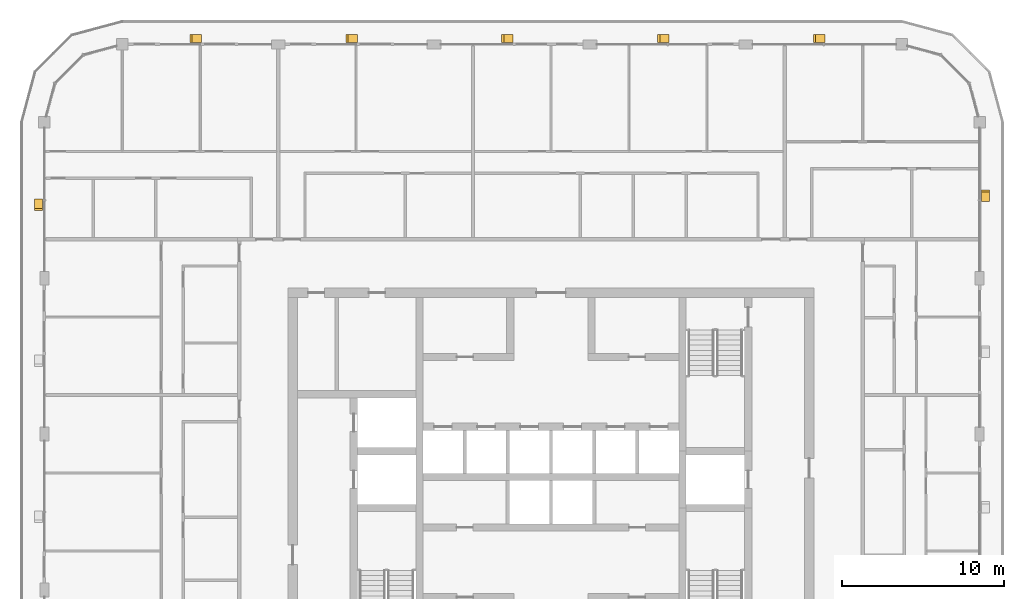
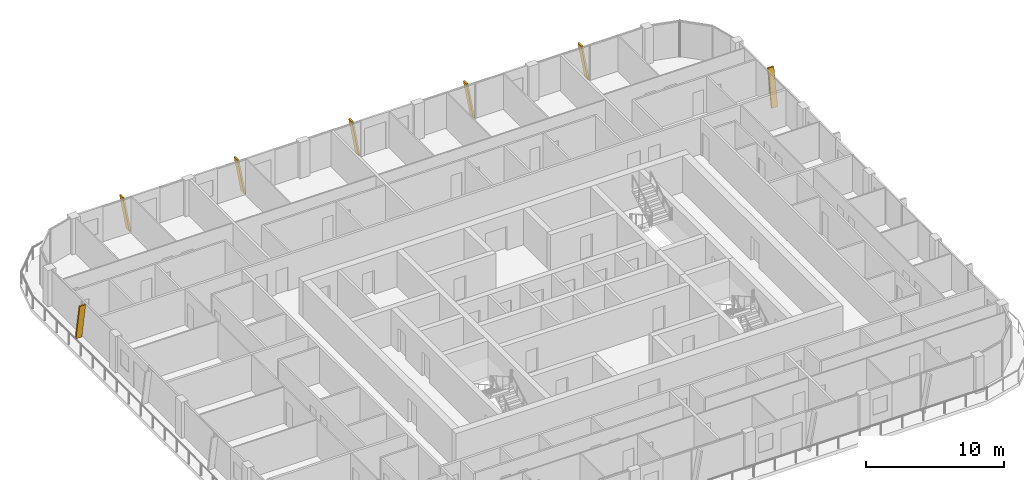
# One storey, part 21 of 21: 7 shading devices.
"""IFC4 building model written with IfcOpenShell, lengths in metres."""

from ifc_helpers import new_model, si_unit, direction, frame, origin, place, context, subcontext, project, spatial, polyline, outline, extrude, material, type_object, element, save


model = new_model("IFC4")

# Units and contexts
model_context = context("Model", 3, precision=1e-05, world=origin(), true_north=direction((0.0, 1.0)))
body_context = subcontext(model_context, "Body", "Model", "MODEL_VIEW")
ifc_project = project(units=[si_unit("LENGTHUNIT", "METRE"), si_unit("AREAUNIT", "SQUARE_METRE"), si_unit("VOLUMEUNIT", "CUBIC_METRE"), si_unit("PLANEANGLEUNIT", "RADIAN"), si_unit("MASSUNIT", "GRAM", prefix="KILO")], contexts=[model_context])

# Site, building, storey
site_placement = place(None, origin())
site = spatial("IfcSite", under=ifc_project, at=site_placement, CompositionType="ELEMENT")
building_placement = place(site_placement, origin())
building = spatial("IfcBuilding", under=site, at=building_placement, Name="Madar Terraces", CompositionType="ELEMENT")
storey_placement = place(building_placement, frame((0.0, 0.0, 242.199951171875)))
storey = spatial("IfcBuildingStorey", under=building, at=storey_placement, Name="L63", CompositionType="ELEMENT", Elevation=242.199951171875)

# Shading devices
ifc_material = material(Name="Aluminium, black anodised", Category="aluminium")
shading_device_type = type_object("IfcShadingDeviceType", Name="Facade fin blade 140 x 500", PredefinedType="USERDEFINED", material=ifc_material)
for number, where, z_axis, x_axis, name in (
    (1, (57.949951171875, 43.1298828125, 0.0), (0.0, 0.0, 1.0), (0.0, 1.0, 0.0), "FIN L63 E4"),
    (2, (48.070068359375, 53.14990234375, 0.0), (0.0, 0.0, 1.0), (-1.0, 0.0, 0.0), "FIN L63 N1"),
):
    element("IfcShadingDevice", number, at=place(storey_placement, frame(where, z_axis=z_axis, x_axis=x_axis)), inside=storey, type_object=shading_device_type, Name=name, ObjectType="FIN", PredefinedType="USERDEFINED", context=body_context, shape_type="SweptSolid", body=[
        extrude(outline(polyline([(0.0, 0.0), (0.14013671875, 0.0), (0.704345703125, 3.199951171875), (0.564208984375, 3.199951171875), (0.0, 0.0)])), frame((0.0, 0.25, 0.0), z_axis=(0.0, -1.0, 0.0), x_axis=(1.0, 0.0, 0.0)), (0.0, 0.0, 1.0), 0.5),
    ])
shading_device_1_placement = place(storey_placement, frame((38.469970703125, 53.14990234375, 0.0), z_axis=(0.0, 0.0, 1.0), x_axis=(-1.0, 0.0, 0.0)))
element("IfcShadingDevice", 3, at=shading_device_1_placement, inside=storey, type_object=shading_device_type, Name="FIN L63 N2", ObjectType="FIN", PredefinedType="USERDEFINED", context=body_context, shape_type="SweptSolid", body=[
    extrude(outline(polyline([(0.0, 0.0), (0.139892578125, 0.0), (0.704345703125, 3.199951171875), (0.564208984375, 3.199951171875), (0.0, 0.0)])), frame((0.0, 0.25, 0.0), z_axis=(0.0, -1.0, 0.0), x_axis=(1.0, 0.0, 0.0)), (0.0, 0.0, 1.0), 0.5),
])
for number, where, z_axis, x_axis, name in (
    (4, (28.8701171875, 53.14990234375, 0.0), (0.0, 0.0, 1.0), (-1.0, 0.0, 0.0), "FIN L63 N3"),
    (5, (19.27001953125, 53.14990234375, 0.0), (0.0, 0.0, 1.0), (-1.0, 0.0, 0.0), "FIN L63 N4"),
):
    element("IfcShadingDevice", number, at=place(storey_placement, frame(where, z_axis=z_axis, x_axis=x_axis)), inside=storey, type_object=shading_device_type, Name=name, ObjectType="FIN", PredefinedType="USERDEFINED", context=body_context, shape_type="SweptSolid", body=[
        extrude(outline(polyline([(0.0, 0.0), (0.14013671875, 0.0), (0.704345703125, 3.199951171875), (0.564208984375, 3.199951171875), (0.0, 0.0)])), frame((0.0, 0.25, 0.0), z_axis=(0.0, -1.0, 0.0), x_axis=(1.0, 0.0, 0.0)), (0.0, 0.0, 1.0), 0.5),
    ])
shading_device_2_placement = place(storey_placement, frame((9.669921875, 53.14990234375, 0.0), z_axis=(0.0, 0.0, 1.0), x_axis=(-1.0, 0.0, 0.0)))
element("IfcShadingDevice", 6, at=shading_device_2_placement, inside=storey, type_object=shading_device_type, Name="FIN L63 N5", ObjectType="FIN", PredefinedType="USERDEFINED", context=body_context, shape_type="SweptSolid", body=[
    extrude(outline(polyline([(0.0, 0.0), (0.139892578125, 0.0), (0.704345703125, 3.199951171875), (0.564208984375, 3.199951171875), (0.0, 0.0)])), frame((0.0, 0.25, 0.0), z_axis=(0.0, -1.0, 0.0), x_axis=(1.0, 0.0, 0.0)), (0.0, 0.0, 1.0), 0.5),
])
shading_device_3_placement = place(storey_placement, frame((-0.35009765625, 43.27001953125, 0.0), z_axis=(0.0, 0.0, 1.0), x_axis=(0.0, -1.0, 0.0)))
element("IfcShadingDevice", 7, at=shading_device_3_placement, inside=storey, type_object=shading_device_type, Name="FIN L63 W1", ObjectType="FIN", PredefinedType="USERDEFINED", context=body_context, shape_type="SweptSolid", body=[
    extrude(outline(polyline([(0.0, 0.0), (0.14013671875, 0.0), (0.704345703125, 3.199951171875), (0.564208984375, 3.199951171875), (0.0, 0.0)])), frame((0.0, 0.25, 0.0), z_axis=(0.0, -1.0, 0.0), x_axis=(1.0, 0.0, 0.0)), (0.0, 0.0, 1.0), 0.5),
])

save(model, "model.ifc")
